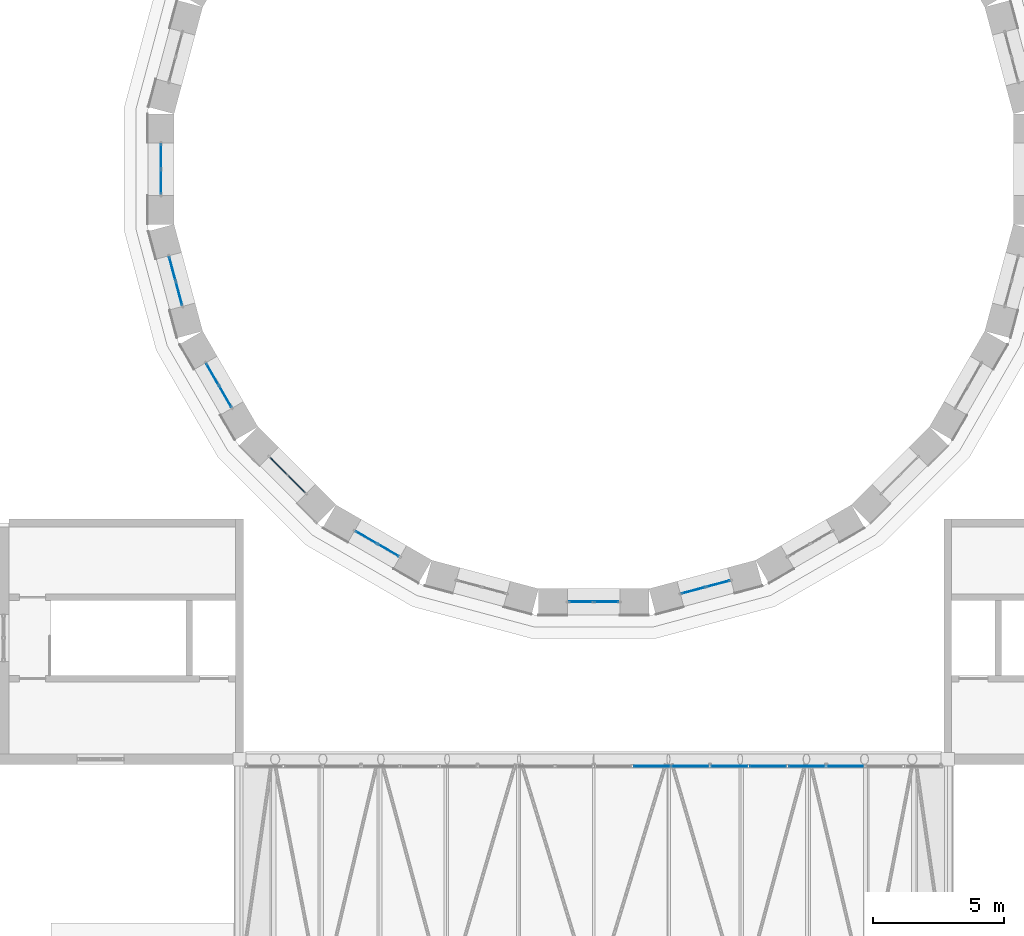
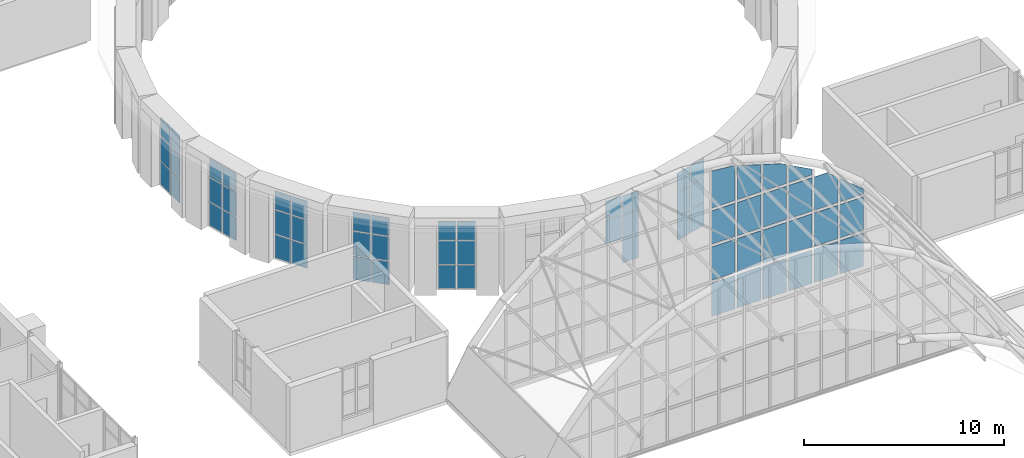
# One storey, part 83 of 121: 63 plates, 8 elements without a shape of their own.
"""IFC4 building model written with IfcOpenShell, lengths in metres."""

from ifc_helpers import new_model, si_unit, direction, frame, origin, origin_2d, place, context, subcontext, project, spatial, polyline, rectangle, outline, extrude, material, layer, layer_set, type_object, element, aggregate, save


model = new_model("IFC4")

# Units and contexts
model_context = context("Model", 3, precision=1e-05, world=origin(), true_north=direction((0.0, 1.0)))
body_context = subcontext(model_context, "Body", "Model", "MODEL_VIEW")
ifc_project = project(units=[si_unit("LENGTHUNIT", "METRE"), si_unit("AREAUNIT", "SQUARE_METRE"), si_unit("VOLUMEUNIT", "CUBIC_METRE"), si_unit("PLANEANGLEUNIT", "RADIAN"), si_unit("MASSUNIT", "GRAM", prefix="KILO")], contexts=[model_context])

# Site, building, storey
site_placement = place(None, origin())
site = spatial("IfcSite", under=ifc_project, at=site_placement, CompositionType="ELEMENT")
building_placement = place(site_placement, origin())
building = spatial("IfcBuilding", under=site, at=building_placement, Name="Golden Quay Civic Hall", CompositionType="ELEMENT")
storey_placement = place(building_placement, frame((0.0, 0.0, 18.60009765625)))
storey = spatial("IfcBuildingStorey", under=building, at=storey_placement, Name="L04", CompositionType="ELEMENT", Elevation=18.60009765625)

# Curtain wall, plates
ifc_material_1 = material(Name="Glass, laminated double glazed", Category="glass")
ifc_layer_1 = layer(ifc_material_1, 0.199951171875)
ifc_layer_set_1 = layer_set([ifc_layer_1], Name="Glazed drum clerestory curtain wall")
curtain_wall_type_1 = type_object("IfcCurtainWallType", Name="Glazed drum clerestory curtain wall", PredefinedType="NOTDEFINED", material=ifc_layer_set_1)
curtain_wall_1_placement = place(storey_placement, origin())
curtain_wall_1 = element("IfcCurtainWall", 1, at=curtain_wall_1_placement, inside=storey, type_object=curtain_wall_type_1, Name="Clerestory curtain wall 12", PredefinedType="NOTDEFINED")
ifc_material_2 = material(Name="Glass, laminated double glazed", Category="glass")
ifc_layer_2 = layer(ifc_material_2, 0.028076171875)
ifc_layer_set_2 = layer_set([ifc_layer_2], Name="Double glazed curtain wall panel 28")
plate_type_1 = type_object("IfcPlateType", Name="Double glazed curtain wall panel 28", PredefinedType="CURTAIN_PANEL", material=ifc_layer_set_2)
plate_1_placement = place(storey_placement, frame((69.0, 85.985107421875, -0.14013671875), z_axis=(0.0, 0.0, 1.0), x_axis=(0.0, -1.0, 0.0)))
plate_1 = element("IfcPlate", 2, at=plate_1_placement, type_object=plate_type_1, Name="CW5 panel 1.1", PredefinedType="CURTAIN_PANEL", context=body_context, shape_type="SweptSolid", body=[
    extrude(rectangle(XDim=0.909912109375, YDim=0.028076171875, at=origin_2d()), origin(), (0.0, 0.0, 1.0), 1.409912109375),
])
plate_2_placement = place(storey_placement, frame((69.0, 85.985107421875, 1.329833984375), z_axis=(0.0, 0.0, 1.0), x_axis=(0.0, -1.0, 0.0)))
plate_2 = element("IfcPlate", 3, at=plate_2_placement, type_object=plate_type_1, Name="CW5 panel 1.2", PredefinedType="CURTAIN_PANEL", context=body_context, shape_type="SweptSolid", body=[
    extrude(rectangle(XDim=0.909912109375, YDim=0.028076171875, at=origin_2d()), origin(), (0.0, 0.0, 1.0), 1.43994140625),
])
plate_3_placement = place(storey_placement, frame((69.0, 85.985107421875, 2.830078125), z_axis=(0.0, 0.0, 1.0), x_axis=(0.0, -1.0, 0.0)))
plate_3 = element("IfcPlate", 4, at=plate_3_placement, type_object=plate_type_1, Name="CW5 panel 1.3", PredefinedType="CURTAIN_PANEL", context=body_context, shape_type="SweptSolid", body=[
    extrude(rectangle(XDim=0.909912109375, YDim=0.028076171875, at=origin_2d()), origin(), (0.0, 0.0, 1.0), 1.110107421875),
])
plate_4_placement = place(storey_placement, frame((69.0, 85.014892578125, -0.14013671875), z_axis=(0.0, 0.0, 1.0), x_axis=(0.0, -1.0, 0.0)))
plate_4 = element("IfcPlate", 5, at=plate_4_placement, type_object=plate_type_1, Name="CW5 panel 2.1", PredefinedType="CURTAIN_PANEL", context=body_context, shape_type="SweptSolid", body=[
    extrude(rectangle(XDim=0.909912109375, YDim=0.028076171875, at=origin_2d()), origin(), (0.0, 0.0, 1.0), 1.409912109375),
])
plate_5_placement = place(storey_placement, frame((69.0, 85.014892578125, 1.329833984375), z_axis=(0.0, 0.0, 1.0), x_axis=(0.0, -1.0, 0.0)))
plate_5 = element("IfcPlate", 6, at=plate_5_placement, type_object=plate_type_1, Name="CW5 panel 2.2", PredefinedType="CURTAIN_PANEL", context=body_context, shape_type="SweptSolid", body=[
    extrude(rectangle(XDim=0.909912109375, YDim=0.028076171875, at=origin_2d()), origin(), (0.0, 0.0, 1.0), 1.43994140625),
])
plate_6_placement = place(storey_placement, frame((69.0, 85.014892578125, 2.830078125), z_axis=(0.0, 0.0, 1.0), x_axis=(0.0, -1.0, 0.0)))
plate_6 = element("IfcPlate", 7, at=plate_6_placement, type_object=plate_type_1, Name="CW5 panel 2.3", PredefinedType="CURTAIN_PANEL", context=body_context, shape_type="SweptSolid", body=[
    extrude(rectangle(XDim=0.909912109375, YDim=0.028076171875, at=origin_2d()), origin(), (0.0, 0.0, 1.0), 1.110107421875),
])
aggregate(curtain_wall_1, [plate_1, plate_2, plate_3, plate_4, plate_5, plate_6])

curtain_wall_2_placement = place(storey_placement, origin())
curtain_wall_2 = element("IfcCurtainWall", 8, at=curtain_wall_2_placement, inside=storey, type_object=curtain_wall_type_1, Name="Clerestory curtain wall 13", PredefinedType="NOTDEFINED")
plate_7_placement = place(storey_placement, frame((69.436767578125, 81.697998046875, -0.14013671875), z_axis=(0.0, 0.0, 1.0), x_axis=(0.258807731996, -0.965928857556, 0.0)))
plate_7 = element("IfcPlate", 9, at=plate_7_placement, type_object=plate_type_1, Name="CW5 panel 1.1", PredefinedType="CURTAIN_PANEL", context=body_context, shape_type="SweptSolid", body=[
    extrude(rectangle(XDim=0.909912109375, YDim=0.028076171875, at=origin_2d()), origin(), (0.0, 0.0, 1.0), 1.409912109375),
])
plate_8_placement = place(storey_placement, frame((69.436767578125, 81.697998046875, 1.329833984375), z_axis=(0.0, 0.0, 1.0), x_axis=(0.258807731996, -0.965928857556, 0.0)))
plate_8 = element("IfcPlate", 10, at=plate_8_placement, type_object=plate_type_1, Name="CW5 panel 1.2", PredefinedType="CURTAIN_PANEL", context=body_context, shape_type="SweptSolid", body=[
    extrude(rectangle(XDim=0.909912109375, YDim=0.028076171875, at=origin_2d()), origin(), (0.0, 0.0, 1.0), 1.43994140625),
])
plate_9_placement = place(storey_placement, frame((69.436767578125, 81.697998046875, 2.830078125), z_axis=(0.0, 0.0, 1.0), x_axis=(0.258807731996, -0.965928857556, 0.0)))
plate_9 = element("IfcPlate", 11, at=plate_9_placement, type_object=plate_type_1, Name="CW5 panel 1.3", PredefinedType="CURTAIN_PANEL", context=body_context, shape_type="SweptSolid", body=[
    extrude(rectangle(XDim=0.909912109375, YDim=0.028076171875, at=origin_2d()), origin(), (0.0, 0.0, 1.0), 1.110107421875),
])
plate_10_placement = place(storey_placement, frame((69.687744140625, 80.760986328125, -0.14013671875), z_axis=(0.0, 0.0, 1.0), x_axis=(0.258807731996, -0.965928857556, 0.0)))
plate_10 = element("IfcPlate", 12, at=plate_10_placement, type_object=plate_type_1, Name="CW5 panel 2.1", PredefinedType="CURTAIN_PANEL", context=body_context, shape_type="SweptSolid", body=[
    extrude(rectangle(XDim=0.909912109375, YDim=0.028076171875, at=origin_2d()), origin(), (0.0, 0.0, 1.0), 1.409912109375),
])
plate_11_placement = place(storey_placement, frame((69.687744140625, 80.760986328125, 1.329833984375), z_axis=(0.0, 0.0, 1.0), x_axis=(0.258807731996, -0.965928857556, 0.0)))
plate_11 = element("IfcPlate", 13, at=plate_11_placement, type_object=plate_type_1, Name="CW5 panel 2.2", PredefinedType="CURTAIN_PANEL", context=body_context, shape_type="SweptSolid", body=[
    extrude(rectangle(XDim=0.909912109375, YDim=0.028076171875, at=origin_2d()), origin(), (0.0, 0.0, 1.0), 1.43994140625),
])
plate_12_placement = place(storey_placement, frame((69.687744140625, 80.760986328125, 2.830078125), z_axis=(0.0, 0.0, 1.0), x_axis=(0.258807731996, -0.965928857556, 0.0)))
plate_12 = element("IfcPlate", 14, at=plate_12_placement, type_object=plate_type_1, Name="CW5 panel 2.3", PredefinedType="CURTAIN_PANEL", context=body_context, shape_type="SweptSolid", body=[
    extrude(rectangle(XDim=0.909912109375, YDim=0.028076171875, at=origin_2d()), origin(), (0.0, 0.0, 1.0), 1.110107421875),
])
aggregate(curtain_wall_2, [plate_7, plate_8, plate_9, plate_10, plate_11, plate_12])

curtain_wall_3_placement = place(storey_placement, origin())
curtain_wall_3 = element("IfcCurtainWall", 15, at=curtain_wall_3_placement, inside=storey, type_object=curtain_wall_type_1, Name="Clerestory curtain wall 14", PredefinedType="NOTDEFINED")
plate_13_placement = place(storey_placement, frame((70.968017578125, 77.669921875, -0.14013671875), z_axis=(0.0, 0.0, 1.0), x_axis=(0.500011000366, -0.866019052627, 0.0)))
plate_13 = element("IfcPlate", 16, at=plate_13_placement, type_object=plate_type_1, Name="CW5 panel 1.1", PredefinedType="CURTAIN_PANEL", context=body_context, shape_type="SweptSolid", body=[
    extrude(rectangle(XDim=0.909912109375, YDim=0.028076171875, at=origin_2d()), origin(), (0.0, 0.0, 1.0), 1.409912109375),
])
plate_14_placement = place(storey_placement, frame((70.968017578125, 77.669921875, 1.329833984375), z_axis=(0.0, 0.0, 1.0), x_axis=(0.500011000366, -0.866019052627, 0.0)))
plate_14 = element("IfcPlate", 17, at=plate_14_placement, type_object=plate_type_1, Name="CW5 panel 1.2", PredefinedType="CURTAIN_PANEL", context=body_context, shape_type="SweptSolid", body=[
    extrude(rectangle(XDim=0.909912109375, YDim=0.028076171875, at=origin_2d()), origin(), (0.0, 0.0, 1.0), 1.43994140625),
])
plate_15_placement = place(storey_placement, frame((70.968017578125, 77.669921875, 2.830078125), z_axis=(0.0, 0.0, 1.0), x_axis=(0.500011000366, -0.866019052627, 0.0)))
plate_15 = element("IfcPlate", 18, at=plate_15_placement, type_object=plate_type_1, Name="CW5 panel 1.3", PredefinedType="CURTAIN_PANEL", context=body_context, shape_type="SweptSolid", body=[
    extrude(rectangle(XDim=0.909912109375, YDim=0.028076171875, at=origin_2d()), origin(), (0.0, 0.0, 1.0), 1.110107421875),
])
plate_16_placement = place(storey_placement, frame((71.453125, 76.830078125, -0.14013671875), z_axis=(0.0, 0.0, 1.0), x_axis=(0.500011000366, -0.866019052627, 0.0)))
plate_16 = element("IfcPlate", 19, at=plate_16_placement, type_object=plate_type_1, Name="CW5 panel 2.1", PredefinedType="CURTAIN_PANEL", context=body_context, shape_type="SweptSolid", body=[
    extrude(rectangle(XDim=0.909912109375, YDim=0.028076171875, at=origin_2d()), origin(), (0.0, 0.0, 1.0), 1.409912109375),
])
plate_17_placement = place(storey_placement, frame((71.453125, 76.830078125, 1.329833984375), z_axis=(0.0, 0.0, 1.0), x_axis=(0.500011000366, -0.866019052627, 0.0)))
plate_17 = element("IfcPlate", 20, at=plate_17_placement, type_object=plate_type_1, Name="CW5 panel 2.2", PredefinedType="CURTAIN_PANEL", context=body_context, shape_type="SweptSolid", body=[
    extrude(rectangle(XDim=0.909912109375, YDim=0.028076171875, at=origin_2d()), origin(), (0.0, 0.0, 1.0), 1.43994140625),
])
plate_18_placement = place(storey_placement, frame((71.453125, 76.830078125, 2.830078125), z_axis=(0.0, 0.0, 1.0), x_axis=(0.500011000366, -0.866019052627, 0.0)))
plate_18 = element("IfcPlate", 21, at=plate_18_placement, type_object=plate_type_1, Name="CW5 panel 2.3", PredefinedType="CURTAIN_PANEL", context=body_context, shape_type="SweptSolid", body=[
    extrude(rectangle(XDim=0.909912109375, YDim=0.028076171875, at=origin_2d()), origin(), (0.0, 0.0, 1.0), 1.110107421875),
])
aggregate(curtain_wall_3, [plate_13, plate_14, plate_15, plate_16, plate_17, plate_18])

curtain_wall_4_placement = place(storey_placement, origin())
curtain_wall_4 = element("IfcCurtainWall", 22, at=curtain_wall_4_placement, inside=storey, type_object=curtain_wall_type_1, Name="Clerestory curtain wall 15", PredefinedType="NOTDEFINED")
plate_19_placement = place(storey_placement, frame((73.48974609375, 74.175537109375, -0.14013671875), z_axis=(0.0, 0.0, 1.0), x_axis=(0.707106781187, -0.707106781187, 0.0)))
plate_19 = element("IfcPlate", 23, at=plate_19_placement, type_object=plate_type_1, Name="CW5 panel 1.1", PredefinedType="CURTAIN_PANEL", context=body_context, shape_type="SweptSolid", body=[
    extrude(rectangle(XDim=0.909912109375, YDim=0.028076171875, at=origin_2d()), origin(), (0.0, 0.0, 1.0), 1.409912109375),
])
plate_20_placement = place(storey_placement, frame((73.48974609375, 74.175537109375, 1.329833984375), z_axis=(0.0, 0.0, 1.0), x_axis=(0.707106781187, -0.707106781187, 0.0)))
plate_20 = element("IfcPlate", 24, at=plate_20_placement, type_object=plate_type_1, Name="CW5 panel 1.2", PredefinedType="CURTAIN_PANEL", context=body_context, shape_type="SweptSolid", body=[
    extrude(rectangle(XDim=0.909912109375, YDim=0.028076171875, at=origin_2d()), origin(), (0.0, 0.0, 1.0), 1.43994140625),
])
plate_21_placement = place(storey_placement, frame((73.48974609375, 74.175537109375, 2.830078125), z_axis=(0.0, 0.0, 1.0), x_axis=(0.707106781187, -0.707106781187, 0.0)))
plate_21 = element("IfcPlate", 25, at=plate_21_placement, type_object=plate_type_1, Name="CW5 panel 1.3", PredefinedType="CURTAIN_PANEL", context=body_context, shape_type="SweptSolid", body=[
    extrude(rectangle(XDim=0.909912109375, YDim=0.028076171875, at=origin_2d()), origin(), (0.0, 0.0, 1.0), 1.110107421875),
])
plate_22_placement = place(storey_placement, frame((74.175537109375, 73.48974609375, -0.14013671875), z_axis=(0.0, 0.0, 1.0), x_axis=(0.707106781187, -0.707106781187, 0.0)))
plate_22 = element("IfcPlate", 26, at=plate_22_placement, type_object=plate_type_1, Name="CW5 panel 2.1", PredefinedType="CURTAIN_PANEL", context=body_context, shape_type="SweptSolid", body=[
    extrude(rectangle(XDim=0.909912109375, YDim=0.028076171875, at=origin_2d()), origin(), (0.0, 0.0, 1.0), 1.409912109375),
])
plate_23_placement = place(storey_placement, frame((74.175537109375, 73.48974609375, 1.329833984375), z_axis=(0.0, 0.0, 1.0), x_axis=(0.707106781187, -0.707106781187, 0.0)))
plate_23 = element("IfcPlate", 27, at=plate_23_placement, type_object=plate_type_1, Name="CW5 panel 2.2", PredefinedType="CURTAIN_PANEL", context=body_context, shape_type="SweptSolid", body=[
    extrude(rectangle(XDim=0.909912109375, YDim=0.028076171875, at=origin_2d()), origin(), (0.0, 0.0, 1.0), 1.43994140625),
])
plate_24_placement = place(storey_placement, frame((74.175537109375, 73.48974609375, 2.830078125), z_axis=(0.0, 0.0, 1.0), x_axis=(0.707106781187, -0.707106781187, 0.0)))
plate_24 = element("IfcPlate", 28, at=plate_24_placement, type_object=plate_type_1, Name="CW5 panel 2.3", PredefinedType="CURTAIN_PANEL", context=body_context, shape_type="SweptSolid", body=[
    extrude(rectangle(XDim=0.909912109375, YDim=0.028076171875, at=origin_2d()), origin(), (0.0, 0.0, 1.0), 1.110107421875),
])
aggregate(curtain_wall_4, [plate_19, plate_20, plate_21, plate_22, plate_23, plate_24])

curtain_wall_5_placement = place(storey_placement, origin())
curtain_wall_5 = element("IfcCurtainWall", 29, at=curtain_wall_5_placement, inside=storey, type_object=curtain_wall_type_1, Name="Clerestory curtain wall 16", PredefinedType="NOTDEFINED")
plate_25_placement = place(storey_placement, frame((76.830078125, 71.453125, -0.14013671875), z_axis=(0.0, 0.0, 1.0), x_axis=(0.866019052627, -0.500011000366, 0.0)))
plate_25 = element("IfcPlate", 30, at=plate_25_placement, type_object=plate_type_1, Name="CW5 panel 1.1", PredefinedType="CURTAIN_PANEL", context=body_context, shape_type="SweptSolid", body=[
    extrude(rectangle(XDim=0.909912109375, YDim=0.028076171875, at=origin_2d()), origin(), (0.0, 0.0, 1.0), 1.409912109375),
])
plate_26_placement = place(storey_placement, frame((76.830078125, 71.453125, 1.329833984375), z_axis=(0.0, 0.0, 1.0), x_axis=(0.866019052627, -0.500011000366, 0.0)))
plate_26 = element("IfcPlate", 31, at=plate_26_placement, type_object=plate_type_1, Name="CW5 panel 1.2", PredefinedType="CURTAIN_PANEL", context=body_context, shape_type="SweptSolid", body=[
    extrude(rectangle(XDim=0.909912109375, YDim=0.028076171875, at=origin_2d()), origin(), (0.0, 0.0, 1.0), 1.43994140625),
])
plate_27_placement = place(storey_placement, frame((76.830078125, 71.453125, 2.830078125), z_axis=(0.0, 0.0, 1.0), x_axis=(0.866019052627, -0.500011000366, 0.0)))
plate_27 = element("IfcPlate", 32, at=plate_27_placement, type_object=plate_type_1, Name="CW5 panel 1.3", PredefinedType="CURTAIN_PANEL", context=body_context, shape_type="SweptSolid", body=[
    extrude(rectangle(XDim=0.909912109375, YDim=0.028076171875, at=origin_2d()), origin(), (0.0, 0.0, 1.0), 1.110107421875),
])
plate_28_placement = place(storey_placement, frame((77.669921875, 70.968017578125, -0.14013671875), z_axis=(0.0, 0.0, 1.0), x_axis=(0.866019052627, -0.500011000366, 0.0)))
plate_28 = element("IfcPlate", 33, at=plate_28_placement, type_object=plate_type_1, Name="CW5 panel 2.1", PredefinedType="CURTAIN_PANEL", context=body_context, shape_type="SweptSolid", body=[
    extrude(rectangle(XDim=0.909912109375, YDim=0.028076171875, at=origin_2d()), origin(), (0.0, 0.0, 1.0), 1.409912109375),
])
plate_29_placement = place(storey_placement, frame((77.669921875, 70.968017578125, 1.329833984375), z_axis=(0.0, 0.0, 1.0), x_axis=(0.866019052627, -0.500011000366, 0.0)))
plate_29 = element("IfcPlate", 34, at=plate_29_placement, type_object=plate_type_1, Name="CW5 panel 2.2", PredefinedType="CURTAIN_PANEL", context=body_context, shape_type="SweptSolid", body=[
    extrude(rectangle(XDim=0.909912109375, YDim=0.028076171875, at=origin_2d()), origin(), (0.0, 0.0, 1.0), 1.43994140625),
])
plate_30_placement = place(storey_placement, frame((77.669921875, 70.968017578125, 2.830078125), z_axis=(0.0, 0.0, 1.0), x_axis=(0.866019052627, -0.500011000366, 0.0)))
plate_30 = element("IfcPlate", 35, at=plate_30_placement, type_object=plate_type_1, Name="CW5 panel 2.3", PredefinedType="CURTAIN_PANEL", context=body_context, shape_type="SweptSolid", body=[
    extrude(rectangle(XDim=0.909912109375, YDim=0.028076171875, at=origin_2d()), origin(), (0.0, 0.0, 1.0), 1.110107421875),
])
aggregate(curtain_wall_5, [plate_25, plate_26, plate_27, plate_28, plate_29, plate_30])

curtain_wall_6_placement = place(storey_placement, origin())
curtain_wall_6 = element("IfcCurtainWall", 36, at=curtain_wall_6_placement, inside=storey, type_object=curtain_wall_type_1, Name="Clerestory curtain wall 18", PredefinedType="NOTDEFINED")
plate_31_placement = place(storey_placement, frame((85.014892578125, 69.0, 1.329833984375), z_axis=(0.0, 0.0, 1.0), x_axis=(1.0, 0.0, 0.0)))
plate_31 = element("IfcPlate", 37, at=plate_31_placement, type_object=plate_type_1, Name="CW5 panel 1.2", PredefinedType="CURTAIN_PANEL", context=body_context, shape_type="SweptSolid", body=[
    extrude(rectangle(XDim=0.909912109375, YDim=0.028076171875, at=origin_2d()), origin(), (0.0, 0.0, 1.0), 1.43994140625),
])
plate_32_placement = place(storey_placement, frame((85.014892578125, 69.0, 2.830078125), z_axis=(0.0, 0.0, 1.0), x_axis=(1.0, 0.0, 0.0)))
plate_32 = element("IfcPlate", 38, at=plate_32_placement, type_object=plate_type_1, Name="CW5 panel 1.3", PredefinedType="CURTAIN_PANEL", context=body_context, shape_type="SweptSolid", body=[
    extrude(rectangle(XDim=0.909912109375, YDim=0.028076171875, at=origin_2d()), origin(), (0.0, 0.0, 1.0), 1.110107421875),
])
plate_33_placement = place(storey_placement, frame((85.985107421875, 69.0, -0.14013671875), z_axis=(0.0, 0.0, 1.0), x_axis=(1.0, 0.0, 0.0)))
plate_33 = element("IfcPlate", 39, at=plate_33_placement, type_object=plate_type_1, Name="CW5 panel 2.1", PredefinedType="CURTAIN_PANEL", context=body_context, shape_type="SweptSolid", body=[
    extrude(rectangle(XDim=0.909912109375, YDim=0.028076171875, at=origin_2d()), origin(), (0.0, 0.0, 1.0), 1.409912109375),
])
plate_34_placement = place(storey_placement, frame((85.985107421875, 69.0, 1.329833984375), z_axis=(0.0, 0.0, 1.0), x_axis=(1.0, 0.0, 0.0)))
plate_34 = element("IfcPlate", 40, at=plate_34_placement, type_object=plate_type_1, Name="CW5 panel 2.2", PredefinedType="CURTAIN_PANEL", context=body_context, shape_type="SweptSolid", body=[
    extrude(rectangle(XDim=0.909912109375, YDim=0.028076171875, at=origin_2d()), origin(), (0.0, 0.0, 1.0), 1.43994140625),
])
plate_35_placement = place(storey_placement, frame((85.985107421875, 69.0, 2.830078125), z_axis=(0.0, 0.0, 1.0), x_axis=(1.0, 0.0, 0.0)))
plate_35 = element("IfcPlate", 41, at=plate_35_placement, type_object=plate_type_1, Name="CW5 panel 2.3", PredefinedType="CURTAIN_PANEL", context=body_context, shape_type="SweptSolid", body=[
    extrude(rectangle(XDim=0.909912109375, YDim=0.028076171875, at=origin_2d()), origin(), (0.0, 0.0, 1.0), 1.110107421875),
])
aggregate(curtain_wall_6, [plate_31, plate_32, plate_33, plate_34, plate_35])

curtain_wall_7_placement = place(storey_placement, origin())
curtain_wall_7 = element("IfcCurtainWall", 42, at=curtain_wall_7_placement, inside=storey, type_object=curtain_wall_type_1, Name="Clerestory curtain wall 19", PredefinedType="NOTDEFINED")
plate_36_placement = place(storey_placement, frame((89.302001953125, 69.436767578125, -0.14013671875), z_axis=(0.0, 0.0, 1.0), x_axis=(0.965928857556, 0.258807731996, 0.0)))
plate_36 = element("IfcPlate", 43, at=plate_36_placement, type_object=plate_type_1, Name="CW5 panel 1.1", PredefinedType="CURTAIN_PANEL", context=body_context, shape_type="SweptSolid", body=[
    extrude(rectangle(XDim=0.909912109375, YDim=0.028076171875, at=origin_2d()), origin(), (0.0, 0.0, 1.0), 1.409912109375),
])
plate_37_placement = place(storey_placement, frame((89.302001953125, 69.436767578125, 1.329833984375), z_axis=(0.0, 0.0, 1.0), x_axis=(0.965928857556, 0.258807731996, 0.0)))
plate_37 = element("IfcPlate", 44, at=plate_37_placement, type_object=plate_type_1, Name="CW5 panel 1.2", PredefinedType="CURTAIN_PANEL", context=body_context, shape_type="SweptSolid", body=[
    extrude(rectangle(XDim=0.909912109375, YDim=0.028076171875, at=origin_2d()), origin(), (0.0, 0.0, 1.0), 1.43994140625),
])
plate_38_placement = place(storey_placement, frame((89.302001953125, 69.436767578125, 2.830078125), z_axis=(0.0, 0.0, 1.0), x_axis=(0.965928857556, 0.258807731996, 0.0)))
plate_38 = element("IfcPlate", 45, at=plate_38_placement, type_object=plate_type_1, Name="CW5 panel 1.3", PredefinedType="CURTAIN_PANEL", context=body_context, shape_type="SweptSolid", body=[
    extrude(rectangle(XDim=0.909912109375, YDim=0.028076171875, at=origin_2d()), origin(), (0.0, 0.0, 1.0), 1.110107421875),
])
plate_39_placement = place(storey_placement, frame((90.239013671875, 69.687744140625, -0.14013671875), z_axis=(0.0, 0.0, 1.0), x_axis=(0.965928857556, 0.258807731996, 0.0)))
plate_39 = element("IfcPlate", 46, at=plate_39_placement, type_object=plate_type_1, Name="CW5 panel 2.1", PredefinedType="CURTAIN_PANEL", context=body_context, shape_type="SweptSolid", body=[
    extrude(rectangle(XDim=0.909912109375, YDim=0.028076171875, at=origin_2d()), origin(), (0.0, 0.0, 1.0), 1.409912109375),
])
plate_40_placement = place(storey_placement, frame((90.239013671875, 69.687744140625, 1.329833984375), z_axis=(0.0, 0.0, 1.0), x_axis=(0.965928857556, 0.258807731996, 0.0)))
plate_40 = element("IfcPlate", 47, at=plate_40_placement, type_object=plate_type_1, Name="CW5 panel 2.2", PredefinedType="CURTAIN_PANEL", context=body_context, shape_type="SweptSolid", body=[
    extrude(rectangle(XDim=0.909912109375, YDim=0.028076171875, at=origin_2d()), origin(), (0.0, 0.0, 1.0), 1.43994140625),
])
plate_41_placement = place(storey_placement, frame((90.239013671875, 69.687744140625, 2.830078125), z_axis=(0.0, 0.0, 1.0), x_axis=(0.965928857556, 0.258807731996, 0.0)))
plate_41 = element("IfcPlate", 48, at=plate_41_placement, type_object=plate_type_1, Name="CW5 panel 2.3", PredefinedType="CURTAIN_PANEL", context=body_context, shape_type="SweptSolid", body=[
    extrude(rectangle(XDim=0.909912109375, YDim=0.028076171875, at=origin_2d()), origin(), (0.0, 0.0, 1.0), 1.110107421875),
])
aggregate(curtain_wall_7, [plate_36, plate_37, plate_38, plate_39, plate_40, plate_41])

ifc_material_3 = material(Name="Glass and aluminium", Category="aluminium")
curtain_wall_type_2 = type_object("IfcCurtainWallType", Name="Glazed curtain wall 1500 module", PredefinedType="NOTDEFINED", material=ifc_material_3)
curtain_wall_8_placement = place(storey_placement, origin())
curtain_wall_8 = element("IfcCurtainWall", 49, at=curtain_wall_8_placement, inside=storey, type_object=curtain_wall_type_2, Name="Curtain wall tympanum north", PredefinedType="NOTDEFINED")
ifc_material_4 = material(Name="Laminated glass", Category="glass")
ifc_layer_3 = layer(ifc_material_4, 0.028076171875)
ifc_layer_set_3 = layer_set([ifc_layer_3], Name="Laminated glass panel 28")
plate_type_2 = type_object("IfcPlateType", Name="Laminated glass panel 28", PredefinedType="CURTAIN_PANEL", material=ifc_layer_set_3)
plate_42_placement = place(storey_placement, frame((88.3955078125, 62.743896484375, -0.130126953125), z_axis=(0.0, 1.0, 0.0), x_axis=(-1.0, 0.0, 0.0)))
plate_42 = element("IfcPlate", 50, at=plate_42_placement, type_object=plate_type_2, Name="Tympanum glass 11.1", PredefinedType="CURTAIN_PANEL", context=body_context, shape_type="SweptSolid", body=[
    extrude(outline(polyline([(0.0, 0.0), (1.357666015625, 0.0), (1.357666015625, 2.02001953125), (0.0, 2.02001953125), (0.0, 0.0)])), origin(), (0.0, 0.0, -1.0), 0.028076171875),
])
plate_43_placement = place(storey_placement, frame((88.3955078125, 62.743896484375, 2.06982421875), z_axis=(0.0, 1.0, 0.0), x_axis=(-1.0, 0.0, 0.0)))
plate_43 = element("IfcPlate", 51, at=plate_43_placement, type_object=plate_type_2, Name="Tympanum glass 11.2", PredefinedType="CURTAIN_PANEL", context=body_context, shape_type="SweptSolid", body=[
    extrude(outline(polyline([(0.0, 0.0), (1.357666015625, 0.0), (1.357666015625, 2.02001953125), (0.0, 2.02001953125), (0.0, 0.0)])), origin(), (0.0, 0.0, -1.0), 0.028076171875),
])
plate_44_placement = place(storey_placement, frame((88.3955078125, 62.743896484375, 4.27001953125), z_axis=(0.0, 1.0, 0.0), x_axis=(-1.0, 0.0, 0.0)))
plate_44 = element("IfcPlate", 52, at=plate_44_placement, type_object=plate_type_2, Name="Tympanum glass 11.3", PredefinedType="CURTAIN_PANEL", context=body_context, shape_type="SweptSolid", body=[
    extrude(outline(polyline([(0.0, 0.0), (1.357666015625, 0.0), (1.357666015625, 2.019775390625), (0.0, 2.019775390625), (0.0, 0.0)])), origin(), (0.0, 0.0, -1.0), 0.028076171875),
])
plate_45_placement = place(storey_placement, frame((88.3955078125, 62.743896484375, 6.469970703125), z_axis=(0.0, 1.0, 0.0), x_axis=(-1.0, 0.0, 0.0)))
plate_45 = element("IfcPlate", 53, at=plate_45_placement, type_object=plate_type_2, Name="Tympanum glass 11.4", PredefinedType="CURTAIN_PANEL", context=body_context, shape_type="SweptSolid", body=[
    extrude(outline(polyline([(0.0, 0.0), (1.357666015625, 0.0), (1.357666015625, 2.254638671875), (0.04736328125, 2.125732421875), (0.0, 2.103271484375), (0.0, 0.0)])), origin(), (0.0, 0.0, -1.0), 0.028076171875),
])
plate_46_placement = place(storey_placement, frame((89.873291015625, 62.743896484375, -0.130126953125), z_axis=(0.0, 1.0, 0.0), x_axis=(-1.0, 0.0, 0.0)))
plate_46 = element("IfcPlate", 54, at=plate_46_placement, type_object=plate_type_2, Name="Tympanum glass 12.1", PredefinedType="CURTAIN_PANEL", context=body_context, shape_type="SweptSolid", body=[
    extrude(outline(polyline([(0.0, 0.0), (1.357666015625, 0.0), (1.357666015625, 2.02001953125), (0.0, 2.02001953125), (0.0, 0.0)])), origin(), (0.0, 0.0, -1.0), 0.028076171875),
])
plate_47_placement = place(storey_placement, frame((89.873291015625, 62.743896484375, 2.06982421875), z_axis=(0.0, 1.0, 0.0), x_axis=(-1.0, 0.0, 0.0)))
plate_47 = element("IfcPlate", 55, at=plate_47_placement, type_object=plate_type_2, Name="Tympanum glass 12.2", PredefinedType="CURTAIN_PANEL", context=body_context, shape_type="SweptSolid", body=[
    extrude(outline(polyline([(0.0, 0.0), (1.357666015625, 0.0), (1.357666015625, 2.02001953125), (0.0, 2.02001953125), (0.0, 0.0)])), origin(), (0.0, 0.0, -1.0), 0.028076171875),
])
plate_48_placement = place(storey_placement, frame((89.873291015625, 62.743896484375, 4.27001953125), z_axis=(0.0, 1.0, 0.0), x_axis=(-1.0, 0.0, 0.0)))
plate_48 = element("IfcPlate", 56, at=plate_48_placement, type_object=plate_type_2, Name="Tympanum glass 12.3", PredefinedType="CURTAIN_PANEL", context=body_context, shape_type="SweptSolid", body=[
    extrude(outline(polyline([(0.0, 0.0), (1.357666015625, 0.0), (1.357666015625, 2.019775390625), (0.0, 2.019775390625), (0.0, 0.0)])), origin(), (0.0, 0.0, -1.0), 0.028076171875),
])
plate_49_placement = place(storey_placement, frame((89.873291015625, 62.743896484375, 6.469970703125), z_axis=(0.0, 1.0, 0.0), x_axis=(-1.0, 0.0, 0.0)))
plate_49 = element("IfcPlate", 57, at=plate_49_placement, type_object=plate_type_2, Name="Tympanum glass 12.4", PredefinedType="CURTAIN_PANEL", context=body_context, shape_type="SweptSolid", body=[
    extrude(outline(polyline([(0.0, 0.0), (1.357666015625, 0.0), (1.357666015625, 2.06689453125), (0.0, 1.65576171875), (0.0, 0.0)])), origin(), (0.0, 0.0, -1.0), 0.028076171875),
])
plate_50_placement = place(storey_placement, frame((91.35107421875, 62.743896484375, -0.130126953125), z_axis=(0.0, 1.0, 0.0), x_axis=(-1.0, 0.0, 0.0)))
plate_50 = element("IfcPlate", 58, at=plate_50_placement, type_object=plate_type_2, Name="Tympanum glass 13.1", PredefinedType="CURTAIN_PANEL", context=body_context, shape_type="SweptSolid", body=[
    extrude(outline(polyline([(0.0, 0.0), (1.357666015625, 0.0), (1.357666015625, 2.02001953125), (0.0, 2.02001953125), (0.0, 0.0)])), origin(), (0.0, 0.0, -1.0), 0.028076171875),
])
plate_51_placement = place(storey_placement, frame((91.35107421875, 62.743896484375, 2.06982421875), z_axis=(0.0, 1.0, 0.0), x_axis=(-1.0, 0.0, 0.0)))
plate_51 = element("IfcPlate", 59, at=plate_51_placement, type_object=plate_type_2, Name="Tympanum glass 13.2", PredefinedType="CURTAIN_PANEL", context=body_context, shape_type="SweptSolid", body=[
    extrude(outline(polyline([(0.0, 0.0), (1.357666015625, 0.0), (1.357666015625, 2.02001953125), (0.0, 2.02001953125), (0.0, 0.0)])), origin(), (0.0, 0.0, -1.0), 0.028076171875),
])
plate_52_placement = place(storey_placement, frame((91.35107421875, 62.743896484375, 4.27001953125), z_axis=(0.0, 1.0, 0.0), x_axis=(-1.0, 0.0, 0.0)))
plate_52 = element("IfcPlate", 60, at=plate_52_placement, type_object=plate_type_2, Name="Tympanum glass 13.3", PredefinedType="CURTAIN_PANEL", context=body_context, shape_type="SweptSolid", body=[
    extrude(outline(polyline([(0.0, 0.0), (1.357666015625, 0.0), (1.357666015625, 2.019775390625), (0.0, 2.019775390625), (0.0, 0.0)])), origin(), (0.0, 0.0, -1.0), 0.028076171875),
])
plate_53_placement = place(storey_placement, frame((91.35107421875, 62.743896484375, 6.469970703125), z_axis=(0.0, 1.0, 0.0), x_axis=(-1.0, 0.0, 0.0)))
plate_53 = element("IfcPlate", 61, at=plate_53_placement, type_object=plate_type_2, Name="Tympanum glass 13.4", PredefinedType="CURTAIN_PANEL", context=body_context, shape_type="SweptSolid", body=[
    extrude(outline(polyline([(0.0, 0.0), (1.357666015625, 0.0), (1.357666015625, 1.619384765625), (0.263671875, 1.288330078125), (0.0, 1.129638671875), (0.0, 0.0)])), origin(), (0.0, 0.0, -1.0), 0.028076171875),
])
plate_54_placement = place(storey_placement, frame((92.828857421875, 62.743896484375, -0.130126953125), z_axis=(0.0, 1.0, 0.0), x_axis=(-1.0, 0.0, 0.0)))
plate_54 = element("IfcPlate", 62, at=plate_54_placement, type_object=plate_type_2, Name="Tympanum glass 14.1", PredefinedType="CURTAIN_PANEL", context=body_context, shape_type="SweptSolid", body=[
    extrude(outline(polyline([(0.0, 0.0), (1.357666015625, 0.0), (1.357666015625, 2.02001953125), (0.0, 2.02001953125), (0.0, 0.0)])), origin(), (0.0, 0.0, -1.0), 0.028076171875),
])
plate_55_placement = place(storey_placement, frame((92.828857421875, 62.743896484375, 2.06982421875), z_axis=(0.0, 1.0, 0.0), x_axis=(-1.0, 0.0, 0.0)))
plate_55 = element("IfcPlate", 63, at=plate_55_placement, type_object=plate_type_2, Name="Tympanum glass 14.2", PredefinedType="CURTAIN_PANEL", context=body_context, shape_type="SweptSolid", body=[
    extrude(outline(polyline([(0.0, 0.0), (1.357666015625, 0.0), (1.357666015625, 2.02001953125), (0.0, 2.02001953125), (0.0, 0.0)])), origin(), (0.0, 0.0, -1.0), 0.028076171875),
])
plate_56_placement = place(storey_placement, frame((92.828857421875, 62.743896484375, 4.27001953125), z_axis=(0.0, 1.0, 0.0), x_axis=(-1.0, 0.0, 0.0)))
plate_56 = element("IfcPlate", 64, at=plate_56_placement, type_object=plate_type_2, Name="Tympanum glass 14.3", PredefinedType="CURTAIN_PANEL", context=body_context, shape_type="SweptSolid", body=[
    extrude(outline(polyline([(0.0, 0.0), (1.357666015625, 0.0), (1.357666015625, 2.019775390625), (0.0, 2.019775390625), (0.0, 0.0)])), origin(), (0.0, 0.0, -1.0), 0.028076171875),
])
plate_57_placement = place(storey_placement, frame((92.828857421875, 62.743896484375, 6.469970703125), z_axis=(0.0, 1.0, 0.0), x_axis=(-1.0, 0.0, 0.0)))
plate_57 = element("IfcPlate", 65, at=plate_57_placement, type_object=plate_type_2, Name="Tympanum glass 14.4", PredefinedType="CURTAIN_PANEL", context=body_context, shape_type="SweptSolid", body=[
    extrude(outline(polyline([(0.0, 0.0), (1.357666015625, 0.0), (1.357666015625, 1.065673828125), (0.0, 0.34130859375), (0.0, 0.0)])), origin(), (0.0, 0.0, -1.0), 0.028076171875),
])
plate_58_placement = place(storey_placement, frame((94.306640625, 62.743896484375, -0.130126953125), z_axis=(0.0, 1.0, 0.0), x_axis=(-1.0, 0.0, 0.0)))
plate_58 = element("IfcPlate", 66, at=plate_58_placement, type_object=plate_type_2, Name="Tympanum glass 15.1", PredefinedType="CURTAIN_PANEL", context=body_context, shape_type="SweptSolid", body=[
    extrude(outline(polyline([(0.0, 0.0), (1.357666015625, 0.0), (1.357666015625, 2.02001953125), (0.0, 2.02001953125), (0.0, 0.0)])), origin(), (0.0, 0.0, -1.0), 0.028076171875),
])
plate_59_placement = place(storey_placement, frame((94.306640625, 62.743896484375, 2.06982421875), z_axis=(0.0, 1.0, 0.0), x_axis=(-1.0, 0.0, 0.0)))
plate_59 = element("IfcPlate", 67, at=plate_59_placement, type_object=plate_type_2, Name="Tympanum glass 15.2", PredefinedType="CURTAIN_PANEL", context=body_context, shape_type="SweptSolid", body=[
    extrude(outline(polyline([(0.0, 0.0), (1.357666015625, 0.0), (1.357666015625, 2.02001953125), (0.0, 2.02001953125), (0.0, 0.0)])), origin(), (0.0, 0.0, -1.0), 0.028076171875),
])
plate_60_placement = place(storey_placement, frame((94.306640625, 62.743896484375, 4.27001953125), z_axis=(0.0, 1.0, 0.0), x_axis=(-1.0, 0.0, 0.0)))
plate_60 = element("IfcPlate", 68, at=plate_60_placement, type_object=plate_type_2, Name="Tympanum glass 15.3", PredefinedType="CURTAIN_PANEL", context=body_context, shape_type="SweptSolid", body=[
    extrude(outline(polyline([(0.0, 0.0), (1.357666015625, 0.0), (1.357666015625, 2.019775390625), (0.57470703125, 2.019775390625), (0.0, 1.522705078125), (0.0, 0.0)])), origin(), (0.0, 0.0, -1.0), 0.028076171875),
])
plate_61_placement = place(storey_placement, frame((95.784423828125, 62.743896484375, -0.130126953125), z_axis=(0.0, 1.0, 0.0), x_axis=(-1.0, 0.0, 0.0)))
plate_61 = element("IfcPlate", 69, at=plate_61_placement, type_object=plate_type_2, Name="Tympanum glass 16.1", PredefinedType="CURTAIN_PANEL", context=body_context, shape_type="SweptSolid", body=[
    extrude(outline(polyline([(0.0, 0.0), (1.357666015625, 0.0), (1.357666015625, 2.02001953125), (0.0, 2.02001953125), (0.0, 0.0)])), origin(), (0.0, 0.0, -1.0), 0.028076171875),
])
plate_62_placement = place(storey_placement, frame((95.784423828125, 62.743896484375, 2.06982421875), z_axis=(0.0, 1.0, 0.0), x_axis=(-1.0, 0.0, 0.0)))
plate_62 = element("IfcPlate", 70, at=plate_62_placement, type_object=plate_type_2, Name="Tympanum glass 16.2", PredefinedType="CURTAIN_PANEL", context=body_context, shape_type="SweptSolid", body=[
    extrude(outline(polyline([(0.0, 0.0), (1.357666015625, 0.0), (1.357666015625, 2.02001953125), (0.0, 2.02001953125), (0.0, 0.0)])), origin(), (0.0, 0.0, -1.0), 0.028076171875),
])
plate_63_placement = place(storey_placement, frame((95.784423828125, 62.743896484375, 4.27001953125), z_axis=(0.0, 1.0, 0.0), x_axis=(-1.0, 0.0, 0.0)))
plate_63 = element("IfcPlate", 71, at=plate_63_placement, type_object=plate_type_2, Name="Tympanum glass 16.3", PredefinedType="CURTAIN_PANEL", context=body_context, shape_type="SweptSolid", body=[
    extrude(outline(polyline([(0.0, 0.0), (1.357666015625, 0.0), (1.357666015625, 1.424560546875), (0.0, 0.31298828125), (0.0, 0.0)])), origin(), (0.0, 0.0, -1.0), 0.028076171875),
])
aggregate(curtain_wall_8, [plate_42, plate_43, plate_44, plate_45, plate_46, plate_47, plate_48, plate_49, plate_50, plate_51, plate_52, plate_53, plate_54, plate_55, plate_56, plate_57, plate_58, plate_59, plate_60, plate_61, plate_62, plate_63])

save(model, "model.ifc")
